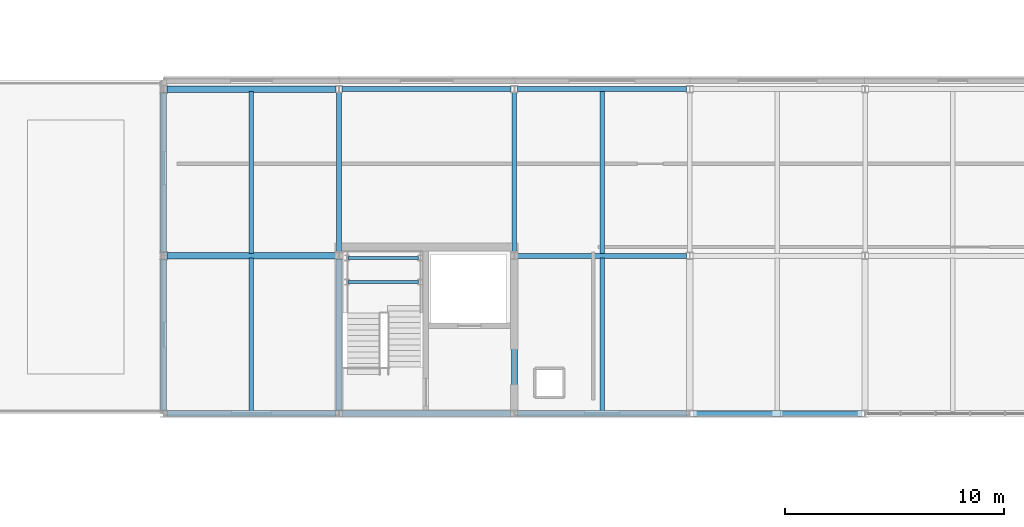
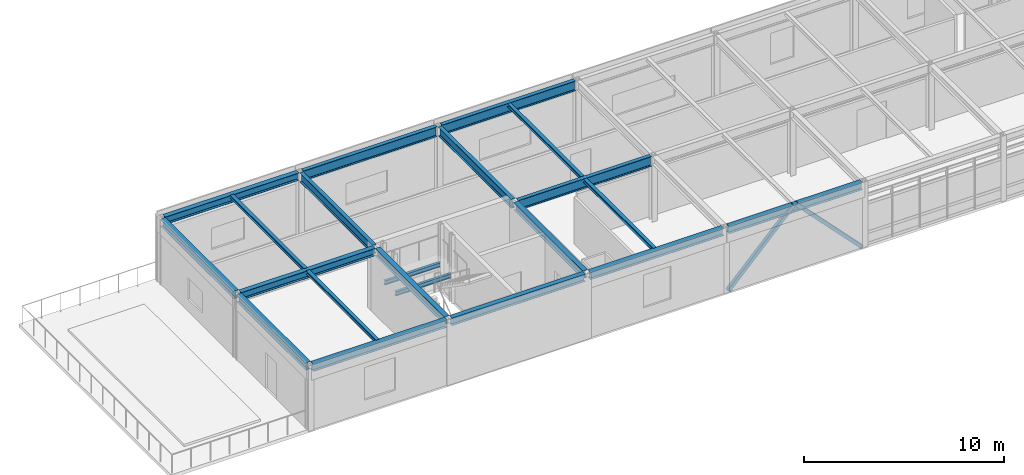
# One storey, part 31 of 85: 21 beams, 2 members.
"""IFC4 building model written with IfcOpenShell, lengths in metres."""

from ifc_helpers import new_model, si_unit, direction, frame, origin, origin_2d, place, context, subcontext, project, spatial, hollow_rectangle, i_section, extrude, material, material_profile, profile_set, type_object, element, save


model = new_model("IFC4")

# Units and contexts
model_context = context("Model", 3, precision=1e-05, world=origin(), true_north=direction((0.0, 1.0)))
body_context = subcontext(model_context, "Body", "Model", "MODEL_VIEW")
ifc_project = project(units=[si_unit("LENGTHUNIT", "METRE"), si_unit("AREAUNIT", "SQUARE_METRE"), si_unit("VOLUMEUNIT", "CUBIC_METRE"), si_unit("PLANEANGLEUNIT", "RADIAN"), si_unit("MASSUNIT", "GRAM", prefix="KILO")], contexts=[model_context])

# Site, building, storey
site_placement = place(None, origin())
site = spatial("IfcSite", under=ifc_project, at=site_placement, CompositionType="ELEMENT")
building_placement = place(site_placement, origin())
building = spatial("IfcBuilding", under=site, at=building_placement, Name="Zulena Civic Courthouse", CompositionType="ELEMENT")
storey_placement = place(building_placement, frame((0.0, 0.0, 25.199951171875)))
storey = spatial("IfcBuildingStorey", under=building, at=storey_placement, Name="L05", CompositionType="ELEMENT", Elevation=25.199951171875)

# Members
ifc_material_1 = material(Name="Steel ASTM A500 Grade C", Category="steel")
ifc_material_profile_1 = material_profile(ifc_material_1, hollow_rectangle(XDim=0.202880859375, YDim=0.202880859375, WallThickness=0.01171875, at=origin_2d()), Name="HSS8X8X1/2")
ifc_profile_set_1 = profile_set([ifc_material_profile_1], Name="Steel ASTM A500 Grade C")
member_type = type_object("IfcMemberType", Name="Brace_HSS8", PredefinedType="BRACE", material=ifc_profile_set_1)
for number, where, z_axis, x_axis, name in (
    (1, (36.14990234375, 46.0, 0.010009765625), (0.693300076266, 0.0, 0.720649015992), (0.0, 1.0, 0.0), "brace:V5:L05:5:0"),
    (2, (43.85009765625, 46.0, 0.010009765625), (-0.693300076266, 0.0, 0.720649015992), (0.0, -1.0, 0.0), "brace:V5:L05:5:1"),
):
    element("IfcMember", number, at=place(storey_placement, frame(where, z_axis=z_axis, x_axis=x_axis)), inside=storey, type_object=member_type, Name=name, PredefinedType="BRACE", context=body_context, shape_type="SweptSolid", body=[
        extrude(hollow_rectangle(XDim=0.202880859375, YDim=0.202880859375, WallThickness=0.01171875, at=origin_2d()), origin(), (0.0, 0.0, 1.0), 5.481201171875),
    ])

# Beams
ifc_material_2 = material(Name="Steel ASTM A992 Grade 50", Category="steel")
ifc_material_profile_2 = material_profile(ifc_material_2, i_section(OverallWidth=0.214111328125, OverallDepth=0.549072265625, WebThickness=0.0146484375, FlangeThickness=0.023681640625, FilletRadius=0.0126953125, at=origin_2d()), Name="W21X93")
ifc_profile_set_2 = profile_set([ifc_material_profile_2], Name="Steel ASTM A992 Grade 50")
beam_type_1 = type_object("IfcBeamType", Name="Girder_W21X93", PredefinedType="BEAM", material=ifc_profile_set_2)
for number, where, z_axis, x_axis, name in (
    (3, (20.0, 53.344970703125, 3.720458984375), (0.0, 1.0, 0.0), (-1.0, 0.0, 0.0), "beam:Y:V5:L05:20.0:53.2_60.8"),
    (4, (28.0, 53.344970703125, 3.720458984375), (0.0, 1.0, 0.0), (-1.0, 0.0, 0.0), "beam:Y:V5:L05:28.0:53.2_60.8"),
):
    element("IfcBeam", number, at=place(storey_placement, frame(where, z_axis=z_axis, x_axis=x_axis)), inside=storey, type_object=beam_type_1, Name=name, PredefinedType="BEAM", context=body_context, shape_type="SweptSolid", body=[
        extrude(i_section(OverallWidth=0.214111328125, OverallDepth=0.549072265625, WebThickness=0.0146484375, FlangeThickness=0.023681640625, FilletRadius=0.0126953125, at=origin_2d()), origin(), (0.0, 0.0, 1.0), 7.31005859375),
    ])
ifc_material_profile_3 = material_profile(ifc_material_2, i_section(OverallWidth=0.22802734375, OverallDepth=0.60693359375, WebThickness=0.01123046875, FlangeThickness=0.017333984375, FilletRadius=0.0126953125, at=origin_2d()), Name="W24X76")
ifc_profile_set_3 = profile_set([ifc_material_profile_3], Name="Steel ASTM A992 Grade 50")
beam_type_2 = type_object("IfcBeamType", Name="Girder_W24X76", PredefinedType="BEAM", material=ifc_profile_set_3)
for number, where, z_axis, x_axis, name in (
    (5, (28.14501953125, 53.199951171875, 3.691650390625), (1.0, 0.0, 0.0), (0.0, 1.0, 0.0), "beam:X:V5:L05:53.2:28.0_36.0"),
    (6, (20.14501953125, 60.800048828125, 3.691650390625), (1.0, 0.0, 0.0), (0.0, 1.0, 0.0), "beam:X:V5:L05:60.8:20.0_28.0"),
    (7, (28.14501953125, 60.800048828125, 3.691650390625), (1.0, 0.0, 0.0), (0.0, 1.0, 0.0), "beam:X:V5:L05:60.8:28.0_36.0"),
):
    element("IfcBeam", number, at=place(storey_placement, frame(where, z_axis=z_axis, x_axis=x_axis)), inside=storey, type_object=beam_type_2, Name=name, PredefinedType="BEAM", context=body_context, shape_type="SweptSolid", body=[
        extrude(i_section(OverallWidth=0.22802734375, OverallDepth=0.60693359375, WebThickness=0.01123046875, FlangeThickness=0.017333984375, FilletRadius=0.0126953125, at=origin_2d()), origin(), (0.0, 0.0, 1.0), 7.7099609375),
    ])
ifc_material_profile_4 = material_profile(ifc_material_2, i_section(OverallWidth=0.14599609375, OverallDepth=0.258056640625, WebThickness=0.006103515625, FlangeThickness=0.009033203125, FilletRadius=0.007568359375, at=origin_2d()), Name="W10X22")
ifc_profile_set_4 = profile_set([ifc_material_profile_4], Name="Steel ASTM A992 Grade 50")
beam_type_3 = type_object("IfcBeamType", Name="Joist_W10X22", PredefinedType="JOIST", material=ifc_profile_set_4)
for number, where, z_axis, x_axis, name in (
    (8, (20.419921875, 52.0, 1.691162109375), (1.0, 0.0, 0.0), (0.0, 1.0, 0.0), "beam:lnd:K5A:L05:0"),
    (9, (20.419921875, 53.10009765625, 1.691162109375), (1.0, 0.0, 0.0), (0.0, 1.0, 0.0), "beam:lnd:K5A:L05:1"),
):
    element("IfcBeam", number, at=place(storey_placement, frame(where, z_axis=z_axis, x_axis=x_axis)), inside=storey, type_object=beam_type_3, Name=name, PredefinedType="JOIST", context=body_context, shape_type="SweptSolid", body=[
        extrude(i_section(OverallWidth=0.14599609375, OverallDepth=0.258056640625, WebThickness=0.006103515625, FlangeThickness=0.009033203125, FilletRadius=0.007568359375, at=origin_2d()), origin(), (0.0, 0.0, 1.0), 3.2001953125),
    ])
ifc_material_profile_5 = material_profile(ifc_material_2, i_section(OverallWidth=0.202880859375, OverallDepth=0.202880859375, WebThickness=0.007080078125, FlangeThickness=0.010986328125, FilletRadius=0.007568359375, at=origin_2d()), Name="W8X31")
ifc_profile_set_5 = profile_set([ifc_material_profile_5], Name="Steel ASTM A992 Grade 50")
beam_type_4 = type_object("IfcBeamType", Name="Joist_W8X31", PredefinedType="JOIST", material=ifc_profile_set_5)
beam_1_placement = place(storey_placement, frame((16.0, 46.10498046875, 3.8935546875), z_axis=(0.0, 1.0, 0.0), x_axis=(-1.0, 0.0, 0.0)))
element("IfcBeam", 10, at=beam_1_placement, inside=storey, type_object=beam_type_4, Name="joist:V5:L05:16.00:46.0_53.2", PredefinedType="JOIST", context=body_context, shape_type="SweptSolid", body=[
    extrude(i_section(OverallWidth=0.202880859375, OverallDepth=0.202880859375, WebThickness=0.007080078125, FlangeThickness=0.010986328125, FilletRadius=0.007568359375, at=origin_2d()), origin(), (0.0, 0.0, 1.0), 6.989990234375),
])
beam_2_placement = place(storey_placement, frame((16.0, 53.304931640625, 3.8935546875), z_axis=(0.0, 1.0, 0.0), x_axis=(-1.0, 0.0, 0.0)))
element("IfcBeam", 11, at=beam_2_placement, inside=storey, type_object=beam_type_4, Name="joist:V5:L05:16.00:53.2_60.8", PredefinedType="JOIST", context=body_context, shape_type="SweptSolid", body=[
    extrude(i_section(OverallWidth=0.202880859375, OverallDepth=0.202880859375, WebThickness=0.007080078125, FlangeThickness=0.010986328125, FilletRadius=0.007568359375, at=origin_2d()), origin(), (0.0, 0.0, 1.0), 7.39013671875),
])
beam_3_placement = place(storey_placement, frame((32.0, 46.10498046875, 3.8935546875), z_axis=(0.0, 1.0, 0.0), x_axis=(-1.0, 0.0, 0.0)))
element("IfcBeam", 12, at=beam_3_placement, inside=storey, type_object=beam_type_4, Name="joist:V5:L05:32.00:46.0_53.2", PredefinedType="JOIST", context=body_context, shape_type="SweptSolid", body=[
    extrude(i_section(OverallWidth=0.202880859375, OverallDepth=0.202880859375, WebThickness=0.007080078125, FlangeThickness=0.010986328125, FilletRadius=0.007568359375, at=origin_2d()), origin(), (0.0, 0.0, 1.0), 6.989990234375),
])
beam_4_placement = place(storey_placement, frame((32.0, 53.304931640625, 3.8935546875), z_axis=(0.0, 1.0, 0.0), x_axis=(-1.0, 0.0, 0.0)))
element("IfcBeam", 13, at=beam_4_placement, inside=storey, type_object=beam_type_4, Name="joist:V5:L05:32.00:53.2_60.8", PredefinedType="JOIST", context=body_context, shape_type="SweptSolid", body=[
    extrude(i_section(OverallWidth=0.202880859375, OverallDepth=0.202880859375, WebThickness=0.007080078125, FlangeThickness=0.010986328125, FilletRadius=0.007568359375, at=origin_2d()), origin(), (0.0, 0.0, 1.0), 7.39013671875),
])
ifc_material_profile_6 = material_profile(ifc_material_2, i_section(OverallWidth=0.280029296875, OverallDepth=0.462890625, WebThickness=0.0107421875, FlangeThickness=0.017333984375, FilletRadius=0.01025390625, at=origin_2d()), Name="W18X76")
ifc_profile_set_6 = profile_set([ifc_material_profile_6], Name="Steel ASTM A992 Grade 50")
beam_type_5 = type_object("IfcBeamType", Name="Spandrel_W18X76", PredefinedType="SPANDREL", material=ifc_profile_set_6)
for number, where, z_axis, x_axis, name in (
    (14, (12.14501953125, 46.0, 3.763427734375), (1.0, 0.0, 0.0), (0.0, 1.0, 0.0), "beam:X:V5:L05:46.0:12.0_20.0"),
    (15, (20.14501953125, 46.0, 3.763427734375), (1.0, 0.0, 0.0), (0.0, 1.0, 0.0), "beam:X:V5:L05:46.0:20.0_28.0"),
    (16, (28.14501953125, 46.0, 3.763427734375), (1.0, 0.0, 0.0), (0.0, 1.0, 0.0), "beam:X:V5:L05:46.0:28.0_36.0"),
    (17, (36.14501953125, 46.0, 3.763427734375), (1.0, 0.0, 0.0), (0.0, 1.0, 0.0), "beam:X:V5:L05:46.0:36.0_44.0"),
    (18, (12.14501953125, 53.199951171875, 3.763427734375), (1.0, 0.0, 0.0), (0.0, 1.0, 0.0), "beam:X:V5:L05:53.2:12.0_20.0"),
    (19, (12.14501953125, 60.800048828125, 3.763427734375), (1.0, 0.0, 0.0), (0.0, 1.0, 0.0), "beam:X:V5:L05:60.8:12.0_20.0"),
):
    element("IfcBeam", number, at=place(storey_placement, frame(where, z_axis=z_axis, x_axis=x_axis)), inside=storey, type_object=beam_type_5, Name=name, PredefinedType="SPANDREL", context=body_context, shape_type="SweptSolid", body=[
        extrude(i_section(OverallWidth=0.280029296875, OverallDepth=0.462890625, WebThickness=0.0107421875, FlangeThickness=0.017333984375, FilletRadius=0.01025390625, at=origin_2d()), origin(), (0.0, 0.0, 1.0), 7.7099609375),
    ])
beam_5_placement = place(storey_placement, frame((12.0, 46.14501953125, 3.763427734375), z_axis=(0.0, 1.0, 0.0), x_axis=(-1.0, 0.0, 0.0)))
element("IfcBeam", 20, at=beam_5_placement, inside=storey, type_object=beam_type_5, Name="beam:Y:V5:L05:12.0:46.0_53.2", PredefinedType="SPANDREL", context=body_context, shape_type="SweptSolid", body=[
    extrude(i_section(OverallWidth=0.280029296875, OverallDepth=0.462890625, WebThickness=0.0107421875, FlangeThickness=0.017333984375, FilletRadius=0.01025390625, at=origin_2d()), origin(), (0.0, 0.0, 1.0), 6.909912109375),
])
beam_6_placement = place(storey_placement, frame((12.0, 53.344970703125, 3.763427734375), z_axis=(0.0, 1.0, 0.0), x_axis=(-1.0, 0.0, 0.0)))
element("IfcBeam", 21, at=beam_6_placement, inside=storey, type_object=beam_type_5, Name="beam:Y:V5:L05:12.0:53.2_60.8", PredefinedType="SPANDREL", context=body_context, shape_type="SweptSolid", body=[
    extrude(i_section(OverallWidth=0.280029296875, OverallDepth=0.462890625, WebThickness=0.0107421875, FlangeThickness=0.017333984375, FilletRadius=0.01025390625, at=origin_2d()), origin(), (0.0, 0.0, 1.0), 7.31005859375),
])
for number, where, z_axis, x_axis, name in (
    (22, (20.0, 46.14501953125, 3.763427734375), (0.0, 1.0, 0.0), (-1.0, 0.0, 0.0), "beam:Y:V5:L05:20.0:46.0_53.2"),
    (23, (28.0, 46.14501953125, 3.763427734375), (0.0, 1.0, 0.0), (-1.0, 0.0, 0.0), "beam:Y:V5:L05:28.0:46.0_53.2"),
):
    element("IfcBeam", number, at=place(storey_placement, frame(where, z_axis=z_axis, x_axis=x_axis)), inside=storey, type_object=beam_type_5, Name=name, PredefinedType="SPANDREL", context=body_context, shape_type="SweptSolid", body=[
        extrude(i_section(OverallWidth=0.280029296875, OverallDepth=0.462890625, WebThickness=0.0107421875, FlangeThickness=0.017333984375, FilletRadius=0.01025390625, at=origin_2d()), origin(), (0.0, 0.0, 1.0), 6.909912109375),
    ])

save(model, "model.ifc")
